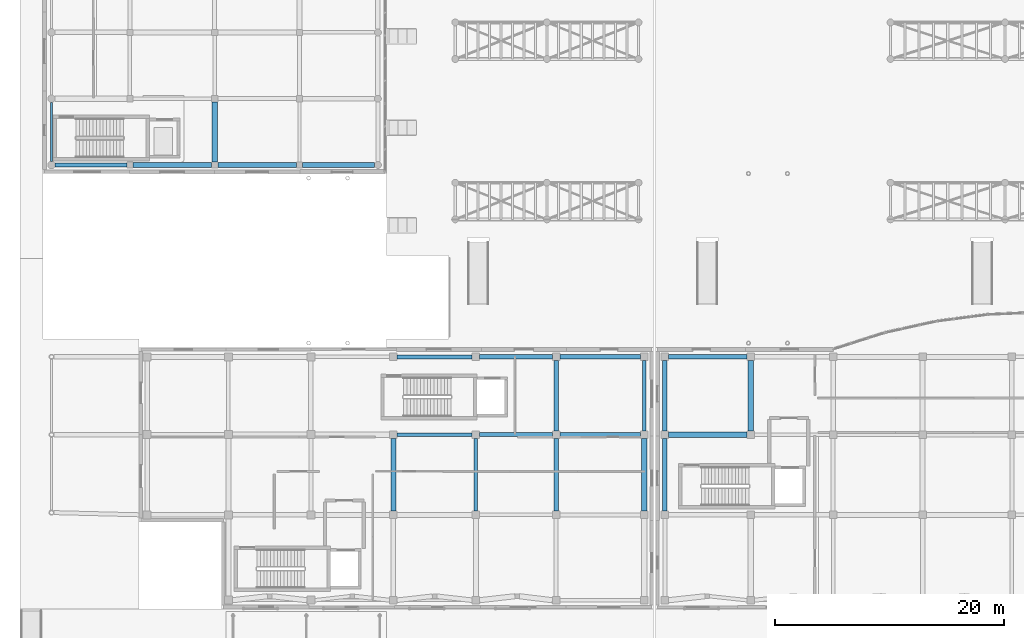
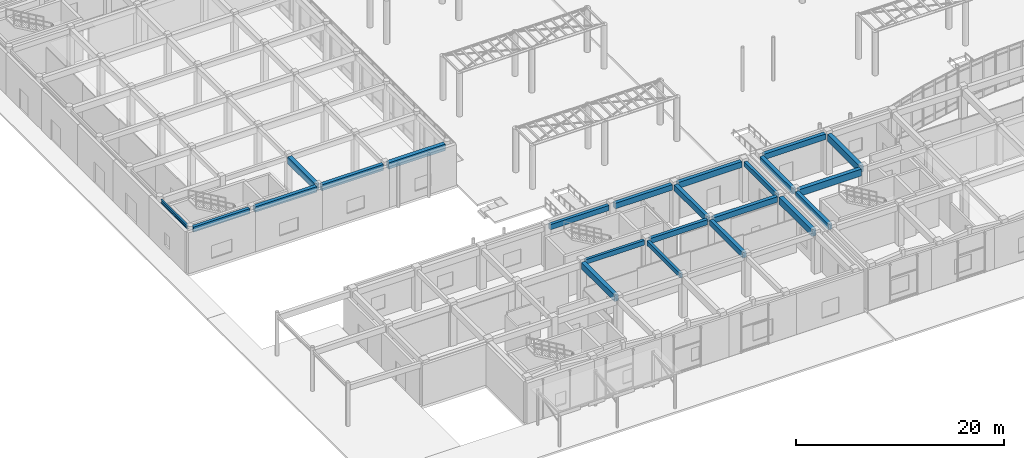
# One storey, part 20 of 121: 23 beams.
"""IFC4 building model written with IfcOpenShell, lengths in metres."""

from ifc_helpers import new_model, si_unit, direction, frame, origin, origin_2d, place, context, subcontext, project, spatial, rectangle, i_section, extrude, material, material_profile, profile_set, type_object, element, save


model = new_model("IFC4")

# Units and contexts
model_context = context("Model", 3, precision=1e-05, world=origin(), true_north=direction((0.0, 1.0)))
body_context = subcontext(model_context, "Body", "Model", "MODEL_VIEW")
ifc_project = project(units=[si_unit("LENGTHUNIT", "METRE"), si_unit("AREAUNIT", "SQUARE_METRE"), si_unit("VOLUMEUNIT", "CUBIC_METRE"), si_unit("PLANEANGLEUNIT", "RADIAN"), si_unit("MASSUNIT", "GRAM", prefix="KILO")], contexts=[model_context])

# Site, building, storey
site_placement = place(None, origin())
site = spatial("IfcSite", under=ifc_project, at=site_placement, CompositionType="ELEMENT")
building_placement = place(site_placement, origin())
building = spatial("IfcBuilding", under=site, at=building_placement, Name="Valcora Specialist Clinic", CompositionType="ELEMENT")
storey_placement = place(building_placement, origin())
storey = spatial("IfcBuildingStorey", under=building, at=storey_placement, Name="L00", CompositionType="ELEMENT", Elevation=0.0)

# Beams
ifc_material_1 = material(Name="Steel ASTM A992 Grade 50", Category="steel")
ifc_material_profile_1 = material_profile(ifc_material_1, i_section(OverallWidth=0.177978515625, OverallDepth=0.406005859375, WebThickness=0.008056640625, FlangeThickness=0.012939453125, at=origin_2d()), Name="ST-IR-410X180")
ifc_profile_set_1 = profile_set([ifc_material_profile_1], Name="Steel ASTM A992 Grade 50")
beam_type_1 = type_object("IfcBeamType", Name="TY-BM-IR410", PredefinedType="SPANDREL", material=ifc_profile_set_1)
beam_1_placement = place(storey_placement, frame((0.75, 39.074951171875, 4.60302734375), z_axis=(0.0, 1.0, 0.0), x_axis=(-1.0, 0.0, 0.0)))
element("IfcBeam", 1, at=beam_1_placement, inside=storey, type_object=beam_type_1, Name="Beam BM-L00-0100", PredefinedType="SPANDREL", context=body_context, shape_type="SweptSolid", body=[
    extrude(i_section(OverallWidth=0.177978515625, OverallDepth=0.406005859375, WebThickness=0.008056640625, FlangeThickness=0.012939453125, at=origin_2d()), origin(), (0.0, 0.0, 1.0), 5.135986328125),
])
ifc_material_2 = material(Name="Concrete C40/50", Category="concrete")
ifc_material_profile_2 = material_profile(ifc_material_2, rectangle(XDim=0.300048828125, YDim=0.550048828125, at=origin_2d()), Name="RC-BM-300X550")
ifc_profile_set_2 = profile_set([ifc_material_profile_2], Name="Concrete C40/50")
beam_type_2 = type_object("IfcBeamType", Name="TY-BM-RC300X550", PredefinedType="BEAM", material=ifc_profile_set_2)
beam_2_placement = place(storey_placement, frame((30.925048828125, 15.199951171875, 4.510009765625), z_axis=(1.0, 0.0, 0.0), x_axis=(0.0, 1.0, 0.0)))
element("IfcBeam", 2, at=beam_2_placement, inside=storey, type_object=beam_type_2, Name="Beam BM-L00-0901", PredefinedType="BEAM", context=body_context, shape_type="SweptSolid", body=[
    extrude(rectangle(XDim=0.300048828125, YDim=0.550048828125, at=origin_2d()), origin(), (0.0, 0.0, 1.0), 6.550048828125),
])
beam_3_placement = place(storey_placement, frame((37.800048828125, 8.52490234375, 4.510009765625), z_axis=(0.0, 1.0, 0.0), x_axis=(-1.0, 0.0, 0.0)))
element("IfcBeam", 3, at=beam_3_placement, inside=storey, type_object=beam_type_2, Name="Beam BM-L00-0923", PredefinedType="BEAM", context=body_context, shape_type="SweptSolid", body=[
    extrude(rectangle(XDim=0.300048828125, YDim=0.550048828125, at=origin_2d()), origin(), (0.0, 0.0, 1.0), 6.35009765625),
])
beam_4_placement = place(storey_placement, frame((52.5, 15.52490234375, 4.510009765625), z_axis=(0.0, 1.0, 0.0), x_axis=(-1.0, 0.0, 0.0)))
element("IfcBeam", 4, at=beam_4_placement, inside=storey, type_object=beam_type_2, Name="Beam BM-L00-0929", PredefinedType="BEAM", context=body_context, shape_type="SweptSolid", body=[
    extrude(rectangle(XDim=0.300048828125, YDim=0.550048828125, at=origin_2d()), origin(), (0.0, 0.0, 1.0), 6.150146484375),
])
ifc_material_profile_3 = material_profile(ifc_material_2, rectangle(XDim=0.35009765625, YDim=0.60009765625, at=origin_2d()), Name="RC-BM-350X600")
ifc_profile_set_3 = profile_set([ifc_material_profile_3], Name="Concrete C40/50")
beam_type_3 = type_object("IfcBeamType", Name="TY-BM-RC350X600", PredefinedType="BEAM", material=ifc_profile_set_3)
beam_5_placement = place(storey_placement, frame((1.074951171875, 38.75, 4.510009765625), z_axis=(1.0, 0.0, 0.0), x_axis=(0.0, 1.0, 0.0)))
element("IfcBeam", 5, at=beam_5_placement, inside=storey, type_object=beam_type_3, Name="Beam BM-L00-0068", PredefinedType="BEAM", context=body_context, shape_type="SweptSolid", body=[
    extrude(rectangle(XDim=0.35009765625, YDim=0.60009765625, at=origin_2d()), origin(), (0.0, 0.0, 1.0), 6.25),
])
beam_6_placement = place(storey_placement, frame((38.125, 15.199951171875, 4.485107421875), z_axis=(1.0, 0.0, 0.0), x_axis=(0.0, 1.0, 0.0)))
element("IfcBeam", 6, at=beam_6_placement, inside=storey, type_object=beam_type_3, Name="Beam BM-L00-0902", PredefinedType="BEAM", context=body_context, shape_type="SweptSolid", body=[
    extrude(rectangle(XDim=0.35009765625, YDim=0.60009765625, at=origin_2d()), origin(), (0.0, 0.0, 1.0), 6.35009765625),
])
beam_7_placement = place(storey_placement, frame((30.925048828125, 22.0, 4.485107421875), z_axis=(1.0, 0.0, 0.0), x_axis=(0.0, 1.0, 0.0)))
element("IfcBeam", 7, at=beam_7_placement, inside=storey, type_object=beam_type_3, Name="Beam BM-L00-0908", PredefinedType="BEAM", context=body_context, shape_type="SweptSolid", body=[
    extrude(rectangle(XDim=0.35009765625, YDim=0.60009765625, at=origin_2d()), origin(), (0.0, 0.0, 1.0), 6.550048828125),
])
ifc_material_profile_4 = material_profile(ifc_material_2, rectangle(XDim=0.39990234375, YDim=0.64990234375, at=origin_2d()), Name="RC-BM-400X650")
ifc_profile_set_4 = profile_set([ifc_material_profile_4], Name="Concrete C40/50")
beam_type_4 = type_object("IfcBeamType", Name="TY-BM-RC400X650", PredefinedType="BEAM", material=ifc_profile_set_4)
beam_8_placement = place(storey_placement, frame((7.875, 38.75, 4.485107421875), z_axis=(1.0, 0.0, 0.0), x_axis=(0.0, 1.0, 0.0)))
element("IfcBeam", 8, at=beam_8_placement, inside=storey, type_object=beam_type_4, Name="Beam BM-L00-0069", PredefinedType="BEAM", context=body_context, shape_type="SweptSolid", body=[
    extrude(rectangle(XDim=0.39990234375, YDim=0.64990234375, at=origin_2d()), origin(), (0.0, 0.0, 1.0), 6.85009765625),
])
beam_9_placement = place(storey_placement, frame((45.125, 15.199951171875, 4.4599609375), z_axis=(1.0, 0.0, 0.0), x_axis=(0.0, 1.0, 0.0)))
element("IfcBeam", 9, at=beam_9_placement, inside=storey, type_object=beam_type_4, Name="Beam BM-L00-0903", PredefinedType="BEAM", context=body_context, shape_type="SweptSolid", body=[
    extrude(rectangle(XDim=0.39990234375, YDim=0.64990234375, at=origin_2d()), origin(), (0.0, 0.0, 1.0), 7.050048828125),
])
for number, where, z_axis, x_axis, name in (
    (10, (38.125, 22.0, 4.4599609375), (1.0, 0.0, 0.0), (0.0, 1.0, 0.0), "Beam BM-L00-0909"),
    (11, (44.800048828125, 8.52490234375, 4.4599609375), (0.0, 1.0, 0.0), (-1.0, 0.0, 0.0), "Beam BM-L00-0925"),
):
    element("IfcBeam", number, at=place(storey_placement, frame(where, z_axis=z_axis, x_axis=x_axis)), inside=storey, type_object=beam_type_4, Name=name, PredefinedType="BEAM", context=body_context, shape_type="SweptSolid", body=[
        extrude(rectangle(XDim=0.39990234375, YDim=0.64990234375, at=origin_2d()), origin(), (0.0, 0.0, 1.0), 6.35009765625),
    ])
beam_10_placement = place(storey_placement, frame((54.625, 22.0, 4.445068359375), z_axis=(1.0, 0.0, 0.0), x_axis=(0.0, 1.0, 0.0)))
element("IfcBeam", 12, at=beam_10_placement, inside=storey, type_object=beam_type_4, Name="Beam BM-L00-1251", PredefinedType="BEAM", context=body_context, shape_type="SweptSolid", body=[
    extrude(rectangle(XDim=0.39990234375, YDim=0.64990234375, at=origin_2d()), origin(), (0.0, 0.0, 1.0), 6.85009765625),
])
beam_11_placement = place(storey_placement, frame((54.300048828125, 8.52490234375, 4.445068359375), z_axis=(0.0, 1.0, 0.0), x_axis=(-1.0, 0.0, 0.0)))
element("IfcBeam", 13, at=beam_11_placement, inside=storey, type_object=beam_type_4, Name="Beam BM-L00-1261", PredefinedType="BEAM", context=body_context, shape_type="SweptSolid", body=[
    extrude(rectangle(XDim=0.39990234375, YDim=0.64990234375, at=origin_2d()), origin(), (0.0, 0.0, 1.0), 6.35009765625),
])
ifc_material_profile_5 = material_profile(ifc_material_2, rectangle(XDim=0.39990234375, YDim=0.699951171875, at=origin_2d()), Name="RC-BM-400X700")
ifc_profile_set_5 = profile_set([ifc_material_profile_5], Name="Concrete C40/50")
beam_type_5 = type_object("IfcBeamType", Name="TY-BM-RC400X700", PredefinedType="BEAM", material=ifc_profile_set_5)
beam_12_placement = place(storey_placement, frame((15.27490234375, 38.75, 4.4599609375), z_axis=(1.0, 0.0, 0.0), x_axis=(0.0, 1.0, 0.0)))
element("IfcBeam", 14, at=beam_12_placement, inside=storey, type_object=beam_type_5, Name="Beam BM-L00-0070", PredefinedType="BEAM", context=body_context, shape_type="SweptSolid", body=[
    extrude(rectangle(XDim=0.39990234375, YDim=0.699951171875, at=origin_2d()), origin(), (0.0, 0.0, 1.0), 6.85009765625),
])
beam_13_placement = place(storey_placement, frame((45.125, 22.0, 4.43505859375), z_axis=(1.0, 0.0, 0.0), x_axis=(0.0, 1.0, 0.0)))
element("IfcBeam", 15, at=beam_13_placement, inside=storey, type_object=beam_type_5, Name="Beam BM-L00-0910", PredefinedType="BEAM", context=body_context, shape_type="SweptSolid", body=[
    extrude(rectangle(XDim=0.39990234375, YDim=0.699951171875, at=origin_2d()), origin(), (0.0, 0.0, 1.0), 7.050048828125),
])
for number, where, z_axis, x_axis, name in (
    (16, (44.800048828125, 15.52490234375, 4.43505859375), (0.0, 1.0, 0.0), (-1.0, 0.0, 0.0), "Beam BM-L00-0926"),
    (17, (54.300048828125, 15.52490234375, 4.419921875), (0.0, 1.0, 0.0), (-1.0, 0.0, 0.0), "Beam BM-L00-1262"),
):
    element("IfcBeam", number, at=place(storey_placement, frame(where, z_axis=z_axis, x_axis=x_axis)), inside=storey, type_object=beam_type_5, Name=name, PredefinedType="BEAM", context=body_context, shape_type="SweptSolid", body=[
        extrude(rectangle(XDim=0.39990234375, YDim=0.699951171875, at=origin_2d()), origin(), (0.0, 0.0, 1.0), 6.150146484375),
    ])
ifc_material_profile_6 = material_profile(ifc_material_2, rectangle(XDim=0.449951171875, YDim=0.75, at=origin_2d()), Name="RC-BM-450X750")
ifc_profile_set_6 = profile_set([ifc_material_profile_6], Name="Concrete C40/50")
beam_type_6 = type_object("IfcBeamType", Name="TY-BM-RC450X750", PredefinedType="BEAM", material=ifc_profile_set_6)
beam_14_placement = place(storey_placement, frame((22.675048828125, 38.75, 4.43505859375), z_axis=(1.0, 0.0, 0.0), x_axis=(0.0, 1.0, 0.0)))
element("IfcBeam", 18, at=beam_14_placement, inside=storey, type_object=beam_type_6, Name="Beam BM-L00-0071", PredefinedType="BEAM", context=body_context, shape_type="SweptSolid", body=[
    extrude(rectangle(XDim=0.449951171875, YDim=0.75, at=origin_2d()), origin(), (0.0, 0.0, 1.0), 6.27490234375),
])
beam_15_placement = place(storey_placement, frame((30.60009765625, 8.52490234375, 4.409912109375), z_axis=(0.0, 1.0, 0.0), x_axis=(-1.0, 0.0, 0.0)))
element("IfcBeam", 19, at=beam_15_placement, inside=storey, type_object=beam_type_6, Name="Beam BM-L00-0921", PredefinedType="BEAM", context=body_context, shape_type="SweptSolid", body=[
    extrude(rectangle(XDim=0.449951171875, YDim=0.75, at=origin_2d()), origin(), (0.0, 0.0, 1.0), 6.35009765625),
])
ifc_material_profile_7 = material_profile(ifc_material_2, rectangle(XDim=0.449951171875, YDim=0.800048828125, at=origin_2d()), Name="RC-BM-450X800")
ifc_profile_set_7 = profile_set([ifc_material_profile_7], Name="Concrete C40/50")
beam_type_7 = type_object("IfcBeamType", Name="TY-BM-RC450X800", PredefinedType="BEAM", material=ifc_profile_set_7)
beam_16_placement = place(storey_placement, frame((15.0, 39.02490234375, 4.409912109375), z_axis=(0.0, 1.0, 0.0), x_axis=(-1.0, 0.0, 0.0)))
element("IfcBeam", 20, at=beam_16_placement, inside=storey, type_object=beam_type_7, Name="Beam BM-L00-0112", PredefinedType="BEAM", context=body_context, shape_type="SweptSolid", body=[
    extrude(rectangle(XDim=0.449951171875, YDim=0.800048828125, at=origin_2d()), origin(), (0.0, 0.0, 1.0), 5.236083984375),
])
beam_17_placement = place(storey_placement, frame((52.5, 8.52490234375, 4.385009765625), z_axis=(0.0, 1.0, 0.0), x_axis=(-1.0, 0.0, 0.0)))
element("IfcBeam", 21, at=beam_17_placement, inside=storey, type_object=beam_type_7, Name="Beam BM-L00-0928", PredefinedType="BEAM", context=body_context, shape_type="SweptSolid", body=[
    extrude(rectangle(XDim=0.449951171875, YDim=0.800048828125, at=origin_2d()), origin(), (0.0, 0.0, 1.0), 6.35009765625),
])
beam_18_placement = place(storey_placement, frame((54.625, 15.199951171875, 4.3701171875), z_axis=(1.0, 0.0, 0.0), x_axis=(0.0, 1.0, 0.0)))
element("IfcBeam", 22, at=beam_18_placement, inside=storey, type_object=beam_type_7, Name="Beam BM-L00-1242", PredefinedType="BEAM", context=body_context, shape_type="SweptSolid", body=[
    extrude(rectangle(XDim=0.449951171875, YDim=0.800048828125, at=origin_2d()), origin(), (0.0, 0.0, 1.0), 6.85009765625),
])
beam_19_placement = place(storey_placement, frame((61.800048828125, 15.52490234375, 4.3701171875), z_axis=(0.0, 1.0, 0.0), x_axis=(-1.0, 0.0, 0.0)))
element("IfcBeam", 23, at=beam_19_placement, inside=storey, type_object=beam_type_7, Name="Beam BM-L00-1264", PredefinedType="BEAM", context=body_context, shape_type="SweptSolid", body=[
    extrude(rectangle(XDim=0.449951171875, YDim=0.800048828125, at=origin_2d()), origin(), (0.0, 0.0, 1.0), 6.150146484375),
])

save(model, "model.ifc")
